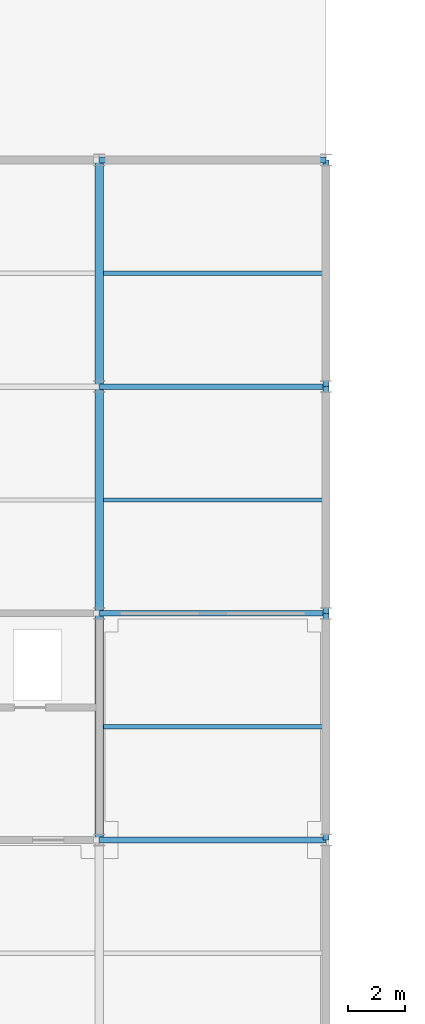
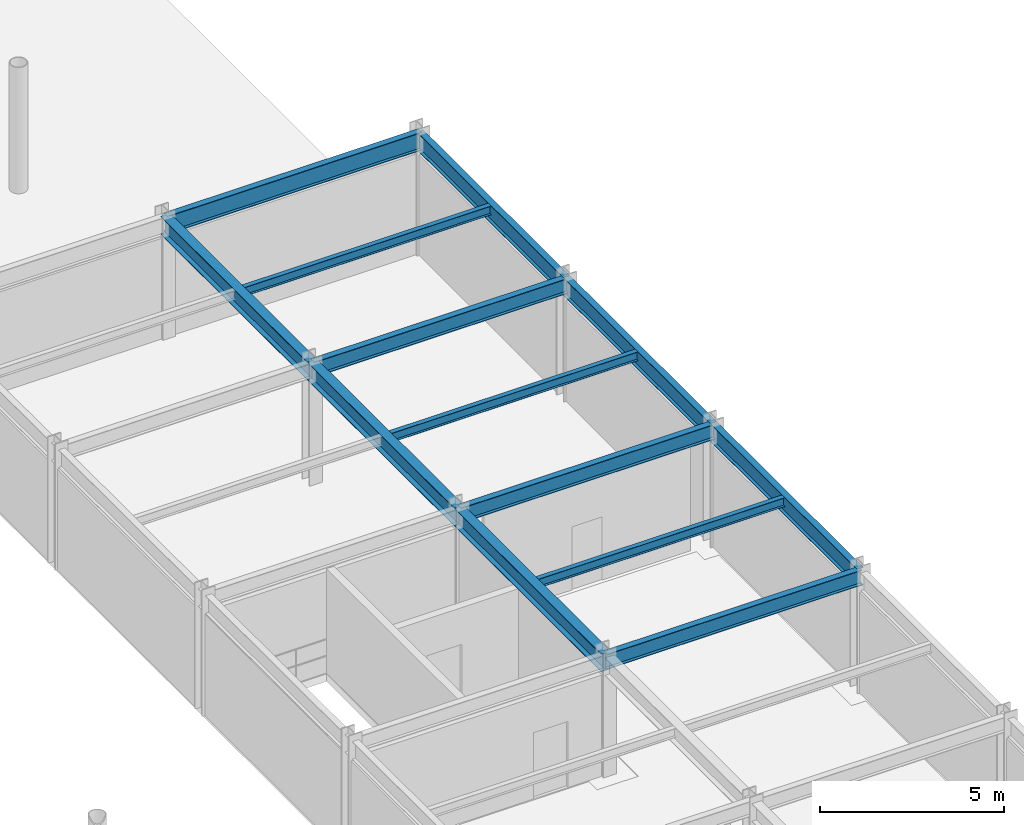
# One storey, part 23 of 54: 13 beams.
"""IFC4 building model written with IfcOpenShell, lengths in metres."""

import ifcopenshell
import ifcopenshell.guid

model = None  # the IFC model being written
_history = None  # IfcOwnerHistory: only IFC2X3 demands one
_inside = {}  # id of a spatial element -> (the spatial element, [elements in it])
_under = {}  # id of a project, library or spatial element -> (it, [spatial elements below it])
_declared = {}  # id of a project -> (the project, [libraries it declares])
_typed = {}  # id of a type object -> (the type object, [elements of that type])
_made_of = {}  # id of a material, layer set ... -> (it, [elements and type objects made of it])


def new_model(schema):
    """Start an empty IFC model of exactly this schema.

    Asked for "IFC4X3", IfcOpenShell would pick the latest addendum, in which some entities
    have other attributes; the version numbers below select the first issue.
    IFC2X3 requires an IfcOwnerHistory on every rooted entity: one is made here for all.
    """
    global model, _history
    if schema == "IFC4X3":
        model = ifcopenshell.file(schema_version=(4, 3, 0, 0))
    else:
        model = ifcopenshell.file(schema=schema)
    _inside.clear()
    _under.clear()
    _declared.clear()
    _typed.clear()
    _made_of.clear()
    _history = None
    if model.schema == "IFC2X3":
        org = make("IfcOrganization", Name="unknown")
        user = make(
            "IfcPersonAndOrganization",
            ThePerson=make("IfcPerson", FamilyName="unknown"),
            TheOrganization=org,
        )
        app = make(
            "IfcApplication",
            ApplicationDeveloper=org,
            Version="unknown",
            ApplicationFullName="unknown",
            ApplicationIdentifier="unknown",
        )
        _history = make(
            "IfcOwnerHistory",
            OwningUser=user,
            OwningApplication=app,
            ChangeAction="ADDED",
            CreationDate=0,
        )
    return model


def make(cls, **values):
    """One entity of the class cls with the attributes given. An attribute that is None is left unset."""
    return model.create_entity(
        cls, **{name: value for name, value in values.items() if value is not None}
    )


def rooted(cls, **values):
    """An entity with a GlobalId (a new one), such as an element, a storey or a relation."""
    return make(cls, GlobalId=ifcopenshell.guid.new(), OwnerHistory=_history, **values)


def si_unit(unit_type, name, prefix=None):
    """IfcSIUnit, for example si_unit("LENGTHUNIT", "METRE", prefix="MILLI")."""
    return make("IfcSIUnit", UnitType=unit_type, Prefix=prefix, Name=name)


def assignment(units):
    """IfcUnitAssignment: the units of a project."""
    return None if units is None else make("IfcUnitAssignment", Units=units)


def point(xyz):
    """IfcCartesianPoint."""
    return None if xyz is None else make("IfcCartesianPoint", Coordinates=xyz)


def direction(xyz):
    """IfcDirection."""
    return None if xyz is None else make("IfcDirection", DirectionRatios=xyz)


def frame(location, z_axis=None, x_axis=None):
    """IfcAxis2Placement3D, a coordinate frame: its origin and axes. An axis left out is left unset."""
    return make(
        "IfcAxis2Placement3D",
        Location=point(location),
        Axis=direction(z_axis),
        RefDirection=direction(x_axis),
    )


def frame_2d(location, x_axis=None):
    """IfcAxis2Placement2D, a coordinate frame in the plane: its origin and x axis."""
    return make(
        "IfcAxis2Placement2D", Location=point(location), RefDirection=direction(x_axis)
    )


def origin():
    """The frame at (0, 0, 0) with its axes left unset."""
    return frame((0.0, 0.0, 0.0))


def origin_2d():
    """The frame at (0, 0) in the plane with its x axis left unset."""
    return frame_2d((0.0, 0.0))


def place(relative_to, where):
    """IfcLocalPlacement: puts the frame where relative to a parent placement (None: the world)."""
    return make(
        "IfcLocalPlacement", PlacementRelTo=relative_to, RelativePlacement=where
    )


def context(
    kind, dimensions, precision=None, world=None, true_north=None, identifier=None
):
    """IfcGeometricRepresentationContext, for example the 3D "Model" context."""
    return make(
        "IfcGeometricRepresentationContext",
        ContextIdentifier=identifier,
        ContextType=kind,
        CoordinateSpaceDimension=dimensions,
        Precision=precision,
        WorldCoordinateSystem=world,
        TrueNorth=true_north,
    )


def subcontext(parent, identifier, kind, view, scale=None):
    """IfcGeometricRepresentationSubContext, for example "Body" below "Model"."""
    return make(
        "IfcGeometricRepresentationSubContext",
        ContextIdentifier=identifier,
        ContextType=kind,
        ParentContext=parent,
        TargetScale=scale,
        TargetView=view,
    )


def project(units=None, contexts=None):
    """IfcProject with its units and contexts."""
    return rooted(
        "IfcProject",
        Name="project",
        RepresentationContexts=contexts,
        UnitsInContext=assignment(units),
    )


def spatial(cls, under=None, at=None, **own):
    """A site, building, storey or space (cls), placed at a placement, below another one or the project."""
    s = rooted(cls, ObjectPlacement=at, **own)
    if under is not None:
        _under.setdefault(under.id(), (under, []))[1].append(s)
    return s


def profile(cls, at=None, kind="AREA", **sizes):
    """A parametric profile (cls). Its sizes go by their IFC names, for example OverallWidth=200.0."""
    return make(cls, ProfileType=kind, Position=at, **sizes)


def i_section(**sizes):
    """IfcIShapeProfileDef."""
    return profile("IfcIShapeProfileDef", **sizes)


def extrude(swept, where, along, depth):
    """IfcExtrudedAreaSolid: the profile swept, set in the frame where, extruded along a direction by depth."""
    return make(
        "IfcExtrudedAreaSolid",
        SweptArea=swept,
        Position=where,
        ExtrudedDirection=direction(along),
        Depth=depth,
    )


def shape(context_of_items, identifier, shape_type, items):
    """IfcShapeRepresentation: the items that make up one representation, for example the "Body"."""
    return make(
        "IfcShapeRepresentation",
        ContextOfItems=context_of_items,
        RepresentationIdentifier=identifier,
        RepresentationType=shape_type,
        Items=items,
    )


def material(Name=None, Category=None):
    """IfcMaterial."""
    return make("IfcMaterial", Name=Name, Category=Category)


def material_profile(
    of_material, cross_section, Name=None, Category=None, Priority=None
):
    """IfcMaterialProfile: a cross section and its material."""
    return make(
        "IfcMaterialProfile",
        Name=Name,
        Material=of_material,
        Profile=cross_section,
        Priority=Priority,
        Category=Category,
    )


def profile_set(profiles, Name=None, composite=None):
    """IfcMaterialProfileSet."""
    return make(
        "IfcMaterialProfileSet",
        Name=Name,
        MaterialProfiles=profiles,
        CompositeProfile=composite,
    )


def made_of(thing, what):
    """Note that an element or type object is made of a material, layer set ...; save() writes the relation."""
    if what is not None:
        _made_of.setdefault(what.id(), (what, []))[1].append(thing)
    return thing


def type_object(cls, material=None, **own):
    """A type object (cls), such as IfcWallType, which elements share."""
    return made_of(rooted(cls, **own), material)


def element(
    cls,
    number,
    at=None,
    inside=None,
    cuts=None,
    type_object=None,
    material=None,
    context=None,
    identifier="Body",
    shape_type=None,
    held_by="IfcProductDefinitionShape",
    body=None,
    shapes=None,
    **own,
):
    """One element of the class cls, such as IfcWall. Its Tag is "e" and its number.

    at: its placement. inside: the storey or other place that contains it. cuts: it is an
    opening in that element (IfcRelVoidsElement). A single representation is given by context,
    identifier, shape_type and body (its items); several are given by shapes. held_by: the class
    of the entity that holds the representations. save() writes the other relations.
    """
    e = rooted(cls, Tag="e%d" % number, ObjectPlacement=at, **own)
    if body is not None:
        shapes = [shape(context, identifier, shape_type, body)]
    if shapes is not None:
        e.Representation = make(held_by, Representations=shapes)
    if inside is not None:
        _inside.setdefault(inside.id(), (inside, []))[1].append(e)
    if cuts is not None:
        rooted(
            "IfcRelVoidsElement", RelatingBuildingElement=cuts, RelatedOpeningElement=e
        )
    if type_object is not None:
        _typed.setdefault(type_object.id(), (type_object, []))[1].append(e)
    return made_of(e, material)


def aggregate(whole, parts):
    """IfcRelAggregates: a whole, such as a stair, and the parts it consists of."""
    return rooted("IfcRelAggregates", RelatingObject=whole, RelatedObjects=parts)


def save(model, path):
    """Write the relations noted so far, then the file.

    IfcRelAggregates (storeys below a building ...), IfcRelContainedInSpatialStructure (elements
    in a storey), IfcRelDefinesByType, IfcRelAssociatesMaterial and IfcRelDeclares: one each for
    every whole, place, type object, material and project.
    """
    for whole, parts in _under.values():
        aggregate(whole, parts)
    for where, things in _inside.values():
        rooted(
            "IfcRelContainedInSpatialStructure",
            RelatedElements=things,
            RelatingStructure=where,
        )
    for kind, things in _typed.values():
        rooted("IfcRelDefinesByType", RelatedObjects=things, RelatingType=kind)
    for what, things in _made_of.values():
        rooted("IfcRelAssociatesMaterial", RelatedObjects=things, RelatingMaterial=what)
    for by, libraries in _declared.values():
        rooted("IfcRelDeclares", RelatingContext=by, RelatedDefinitions=libraries)
    model.write(path)


model = new_model("IFC4")

# Units and contexts
model_context = context("Model", 3, precision=1e-05, world=origin(), true_north=direction((0.0, 1.0)))
body_context = subcontext(model_context, "Body", "Model", "MODEL_VIEW")
ifc_project = project(units=[si_unit("LENGTHUNIT", "METRE"), si_unit("AREAUNIT", "SQUARE_METRE"), si_unit("VOLUMEUNIT", "CUBIC_METRE"), si_unit("PLANEANGLEUNIT", "RADIAN"), si_unit("MASSUNIT", "GRAM", prefix="KILO")], contexts=[model_context])

# Site, building, storey
site_placement = place(None, origin())
site = spatial("IfcSite", under=ifc_project, at=site_placement, CompositionType="ELEMENT")
building_placement = place(site_placement, origin())
building = spatial("IfcBuilding", under=site, at=building_placement, Name="Haebicheon Civic Stadium", CompositionType="ELEMENT")
storey_placement = place(building_placement, frame((0.0, 0.0, 22.800048828125)))
storey = spatial("IfcBuildingStorey", under=building, at=storey_placement, Name="L06", CompositionType="ELEMENT", Elevation=22.800048828125)

# Beams
ifc_material_1 = material(Name="Steel SM355 (S355)", Category="steel")
ifc_material_profile_1 = material_profile(ifc_material_1, i_section(OverallWidth=0.199951171875, OverallDepth=0.5, WebThickness=0.010009765625, FlangeThickness=0.01611328125, at=origin_2d()), Name="H-500x200x10x16")
ifc_profile_set_1 = profile_set([ifc_material_profile_1], Name="Steel SM355 (S355)")
beam_type_1 = type_object("IfcBeamType", Name="BM-ST-H500", PredefinedType="BEAM", material=ifc_profile_set_1)
for number, where, z_axis, x_axis, name in (
    (1, (152.0, 104.0, 3.72998046875), (1.0, 0.0, 0.0), (0.0, 1.0, 0.0), "L06 beam P/20-21"),
    (2, (152.0, 112.0, 3.72998046875), (1.0, 0.0, 0.0), (0.0, 1.0, 0.0), "L06 beam Q/20-21"),
    (3, (152.0, 120.0, 3.72998046875), (1.0, 0.0, 0.0), (0.0, 1.0, 0.0), "L06 beam R/20-21"),
):
    element("IfcBeam", number, at=place(storey_placement, frame(where, z_axis=z_axis, x_axis=x_axis)), inside=storey, type_object=beam_type_1, material=ifc_profile_set_1, Name=name, PredefinedType="BEAM", context=body_context, shape_type="SweptSolid", body=[
        extrude(i_section(OverallWidth=0.199951171875, OverallDepth=0.5, WebThickness=0.010009765625, FlangeThickness=0.01611328125, at=origin_2d()), origin(), (0.0, 0.0, 1.0), 8.0),
    ])
ifc_material_2 = material(Name="Steel SM355 (S355)", Category="steel")
ifc_material_profile_2 = material_profile(ifc_material_2, i_section(OverallWidth=0.300048828125, OverallDepth=0.60009765625, WebThickness=0.011962890625, FlangeThickness=0.02001953125, at=origin_2d()), Name="H-600x300x12x20")
ifc_profile_set_2 = profile_set([ifc_material_profile_2], Name="Steel SM355 (S355)")
beam_type_2 = type_object("IfcBeamType", Name="BM-ST-H600A", PredefinedType="BEAM", material=ifc_profile_set_2)
for number, where, z_axis, x_axis, name in (
    (4, (152.0, 104.0, 3.679931640625), (0.0, 1.0, 0.0), (-1.0, 0.0, 0.0), "L06 girder 20/P-Q"),
    (5, (152.0, 112.0, 3.679931640625), (0.0, 1.0, 0.0), (-1.0, 0.0, 0.0), "L06 girder 20/Q-R"),
    (6, (152.0, 120.0, 3.679931640625), (0.0, 1.0, 0.0), (-1.0, 0.0, 0.0), "L06 girder 20/R-S"),
):
    element("IfcBeam", number, at=place(storey_placement, frame(where, z_axis=z_axis, x_axis=x_axis)), inside=storey, type_object=beam_type_2, material=ifc_profile_set_2, Name=name, PredefinedType="BEAM", context=body_context, shape_type="SweptSolid", body=[
        extrude(i_section(OverallWidth=0.300048828125, OverallDepth=0.60009765625, WebThickness=0.011962890625, FlangeThickness=0.02001953125, at=origin_2d()), origin(), (0.0, 0.0, 1.0), 8.0),
    ])
ifc_material_3 = material(Name="Steel SM355 (S355)", Category="steel")
ifc_material_profile_3 = material_profile(ifc_material_3, i_section(OverallWidth=0.14990234375, OverallDepth=0.300048828125, WebThickness=0.006591796875, FlangeThickness=0.009033203125, at=origin_2d()), Name="H-300x150x6.5x9")
ifc_profile_set_3 = profile_set([ifc_material_profile_3], Name="Steel SM355 (S355)")
beam_type_3 = type_object("IfcBeamType", Name="JST-ST-H300", PredefinedType="JOIST", material=ifc_profile_set_3)
for number, where, z_axis, x_axis, name in (
    (7, (152.14990234375, 108.0, 3.829833984375), (1.0, 0.0, 0.0), (0.0, 1.0, 0.0), "L06 secondary joist 19-13"),
    (8, (152.14990234375, 116.0, 3.829833984375), (1.0, 0.0, 0.0), (0.0, 1.0, 0.0), "L06 secondary joist 19-14"),
    (9, (152.14990234375, 124.0, 3.829833984375), (1.0, 0.0, 0.0), (0.0, 1.0, 0.0), "L06 secondary joist 19-15"),
):
    element("IfcBeam", number, at=place(storey_placement, frame(where, z_axis=z_axis, x_axis=x_axis)), inside=storey, type_object=beam_type_3, material=ifc_profile_set_3, Name=name, PredefinedType="JOIST", context=body_context, shape_type="SweptSolid", body=[
        extrude(i_section(OverallWidth=0.14990234375, OverallDepth=0.300048828125, WebThickness=0.006591796875, FlangeThickness=0.009033203125, at=origin_2d()), origin(), (0.0, 0.0, 1.0), 7.75),
    ])
ifc_material_4 = material(Name="Steel SM355 (S355)", Category="steel")
ifc_material_profile_4 = material_profile(ifc_material_4, i_section(OverallWidth=0.199951171875, OverallDepth=0.60009765625, WebThickness=0.010986328125, FlangeThickness=0.01708984375, at=origin_2d()), Name="H-600x200x11x17")
ifc_profile_set_4 = profile_set([ifc_material_profile_4], Name="Steel SM355 (S355)")
beam_type_4 = type_object("IfcBeamType", Name="SPD-ST-H600B", PredefinedType="SPANDREL", material=ifc_profile_set_4)
for number, where, z_axis, x_axis, name in (
    (10, (160.0, 104.0, 3.679931640625), (0.0, 1.0, 0.0), (-1.0, 0.0, 0.0), "L06 girder 21/P-Q"),
    (11, (160.0, 112.0, 3.679931640625), (0.0, 1.0, 0.0), (-1.0, 0.0, 0.0), "L06 girder 21/Q-R"),
    (12, (160.0, 120.0, 3.679931640625), (0.0, 1.0, 0.0), (-1.0, 0.0, 0.0), "L06 girder 21/R-S"),
    (13, (152.0, 128.0, 3.679931640625), (1.0, 0.0, 0.0), (0.0, 1.0, 0.0), "L06 beam S/20-21"),
):
    element("IfcBeam", number, at=place(storey_placement, frame(where, z_axis=z_axis, x_axis=x_axis)), inside=storey, type_object=beam_type_4, material=ifc_profile_set_4, Name=name, PredefinedType="SPANDREL", context=body_context, shape_type="SweptSolid", body=[
        extrude(i_section(OverallWidth=0.199951171875, OverallDepth=0.60009765625, WebThickness=0.010986328125, FlangeThickness=0.01708984375, at=origin_2d()), origin(), (0.0, 0.0, 1.0), 8.0),
    ])

save(model, "model.ifc")
